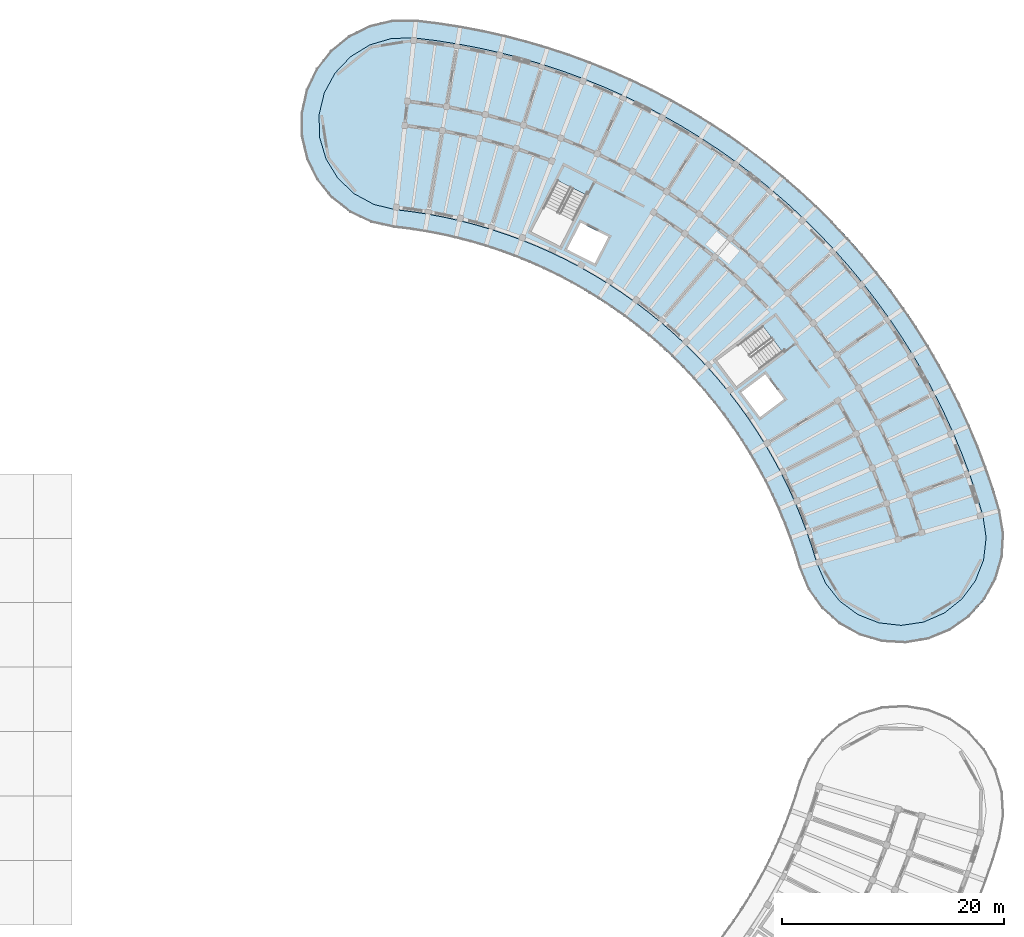
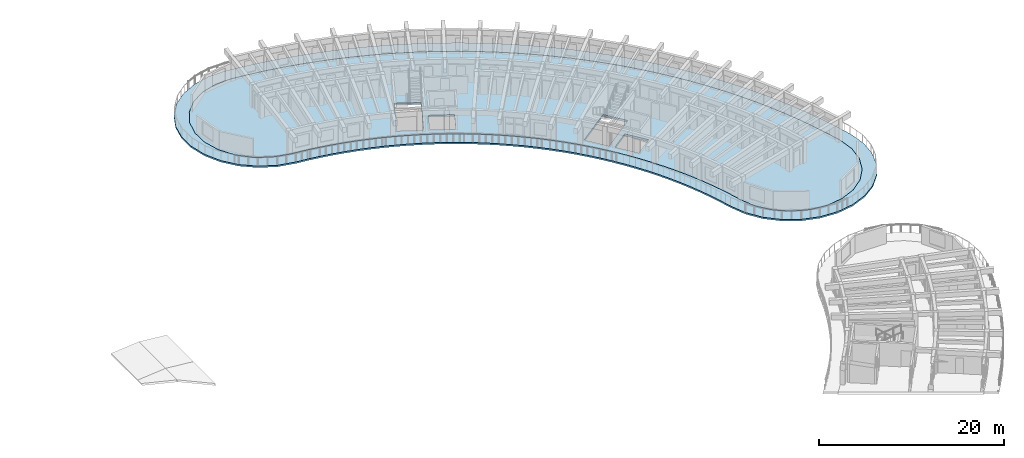
# One storey, part 25 of 69: 2 slabs.
"""IFC4 building model written with IfcOpenShell, lengths in metres."""

from ifc_helpers import new_model, si_unit, direction, frame, origin, place, context, subcontext, project, spatial, polyline, outline, extrude, material, layer, layer_set, type_object, element, save


model = new_model("IFC4")

# Units and contexts
model_context = context("Model", 3, precision=1e-05, world=origin(), true_north=direction((0.0, 1.0)))
body_context = subcontext(model_context, "Body", "Model", "MODEL_VIEW")
ifc_project = project(units=[si_unit("LENGTHUNIT", "METRE"), si_unit("AREAUNIT", "SQUARE_METRE"), si_unit("VOLUMEUNIT", "CUBIC_METRE"), si_unit("PLANEANGLEUNIT", "RADIAN"), si_unit("MASSUNIT", "GRAM", prefix="KILO")], contexts=[model_context])

# Site, building, storey
site_placement = place(None, origin())
site = spatial("IfcSite", under=ifc_project, at=site_placement, CompositionType="ELEMENT")
building_placement = place(site_placement, origin())
building = spatial("IfcBuilding", under=site, at=building_placement, Name="Tanwirah Colonnade Gardens", CompositionType="ELEMENT")
storey_placement = place(building_placement, frame((0.0, 0.0, 15.56005859375)))
storey = spatial("IfcBuildingStorey", under=building, at=storey_placement, Name="L04", CompositionType="ELEMENT", Elevation=15.56005859375)

# Slabs
ifc_material_1 = material(Name="White architectural precast concrete C40/50", Category="concrete")
ifc_layer_1 = layer(ifc_material_1, 0.199951171875)
ifc_layer_set_1 = layer_set([ifc_layer_1], Name="White architectural precast concrete C40/50")
slab_type_1 = type_object("IfcSlabType", Name="SL-BAL-200", PredefinedType="FLOOR", material=ifc_layer_set_1)
slab_1_placement = place(storey_placement, frame((0.0, 0.0, -0.199951171875)))
element("IfcSlab", 1, at=slab_1_placement, inside=storey, type_object=slab_type_1, Name="Block B L04 Continuous White Balcony Ribbon", PredefinedType="FLOOR", context=body_context, shape_type="SweptSolid", body=[
    extrude(outline(polyline([(162.7529296875, 69.996337890625), (163.96875, 68.2783203125), (165.53662109375, 66.873779296875), (167.37744140625, 65.853271484375), (169.3994140625, 65.267822265625), (171.5009765625, 65.147216796875), (173.57666015625, 65.497314453125), (175.522216796875, 66.30029296875), (177.240478515625, 67.516357421875), (178.64501953125, 69.083984375), (179.66552734375, 70.925048828125), (180.250732421875, 72.947021484375), (180.37158203125, 75.048583984375), (180.021484375, 77.1240234375), (179.431640625, 79.060302734375), (178.778076171875, 80.97607421875), (178.06201171875, 82.869140625), (177.28369140625, 84.73779296875), (176.4443359375, 86.57958984375), (175.544677734375, 88.392822265625), (174.585693359375, 90.17529296875), (173.568603515625, 91.92529296875), (172.494384765625, 93.640869140625), (171.3642578125, 95.320068359375), (170.17919921875, 96.9609375), (168.940673828125, 98.56201171875), (167.650146484375, 100.121337890625), (166.30908203125, 101.63720703125), (164.91845703125, 103.108154296875), (163.48046875, 104.532470703125), (161.99609375, 105.90869140625), (160.467041015625, 107.235107421875), (158.895263671875, 108.510498046875), (157.282470703125, 109.7333984375), (155.6298828125, 110.90234375), (153.93994140625, 112.01611328125), (152.214111328125, 113.07373046875), (150.454345703125, 114.073974609375), (148.66259765625, 115.015380859375), (146.8408203125, 115.8974609375), (144.990966796875, 116.718994140625), (143.114990234375, 117.47900390625), (141.21484375, 118.1767578125), (139.29296875, 118.811767578125), (137.35107421875, 119.3828125), (135.391357421875, 119.8896484375), (133.416259765625, 120.33154296875), (131.427490234375, 120.7080078125), (129.42724609375, 121.018798828125), (127.41796875, 121.263671875), (125.313232421875, 121.247802734375), (123.2646484375, 120.76416015625), (121.375, 119.836669921875), (119.7392578125, 118.511962890625), (118.439208984375, 116.8564453125), (117.5400390625, 114.953369140625), (117.0869140625, 112.897705078125), (117.102783203125, 110.792724609375), (117.58642578125, 108.744140625), (118.513916015625, 106.854736328125), (119.838623046875, 105.21875), (121.494140625, 103.918701171875), (123.397216796875, 103.019775390625), (125.452880859375, 102.566650390625), (126.846923828125, 102.396728515625), (128.234619140625, 102.18115234375), (129.614501953125, 101.919921875), (130.98486328125, 101.61328125), (132.344482421875, 101.26171875), (133.69189453125, 100.865478515625), (135.025390625, 100.425048828125), (136.343505859375, 99.94091796875), (137.645263671875, 99.41357421875), (138.9287109375, 98.843505859375), (140.192626953125, 98.231689453125), (141.435791015625, 97.578369140625), (142.65673828125, 96.884521484375), (143.85400390625, 96.150634765625), (145.026611328125, 95.3779296875), (146.173095703125, 94.566650390625), (147.292236328125, 93.71826171875), (148.3828125, 92.83349609375), (149.443603515625, 91.9130859375), (150.473388671875, 90.95849609375), (151.47119140625, 89.97021484375), (152.435791015625, 88.94970703125), (153.366455078125, 87.89794921875), (154.26171875, 86.81591796875), (155.12109375, 85.705078125), (155.943115234375, 84.566650390625), (156.727294921875, 83.401611328125), (157.47265625, 82.21142578125), (158.178466796875, 80.997314453125), (158.84375, 79.760498046875), (159.468017578125, 78.50244140625), (160.05029296875, 77.224609375), (160.590087890625, 75.92822265625), (161.087158203125, 74.61474609375), (161.54052734375, 73.28564453125), (161.94970703125, 71.942138671875), (162.7529296875, 69.996337890625)]), holes=[polyline([(164.31689453125, 70.526123046875), (163.506591796875, 72.39013671875), (163.082275390625, 73.78271484375), (163.08203125, 73.783447265625), (162.611572265625, 75.16259765625), (162.611328125, 75.1630859375), (162.095947265625, 76.52587890625), (162.095703125, 76.526611328125), (161.535400390625, 77.87158203125), (161.53515625, 77.872314453125), (160.930908203125, 79.1982421875), (160.9306640625, 79.19873046875), (160.282958984375, 80.504150390625), (160.28271484375, 80.504638671875), (159.59228515625, 81.787841796875), (159.592041015625, 81.788330078125), (158.85986328125, 83.048095703125), (158.859619140625, 83.048828125), (158.086181640625, 84.28369140625), (158.0859375, 84.2841796875), (157.272216796875, 85.492919921875), (157.271728515625, 85.493408203125), (156.418701171875, 86.6748046875), (156.41845703125, 86.67529296875), (155.52685546875, 87.827880859375), (155.526611328125, 87.828369140625), (154.597412109375, 88.950927734375), (154.59716796875, 88.951416015625), (153.631591796875, 90.042724609375), (153.631103515625, 90.043212890625), (152.630126953125, 91.10205078125), (152.629638671875, 91.1025390625), (151.594482421875, 92.1279296875), (151.593994140625, 92.12841796875), (150.525390625, 93.118896484375), (150.52490234375, 93.119384765625), (149.42431640625, 94.07421875), (149.423828125, 94.07470703125), (148.292236328125, 94.99267578125), (148.291748046875, 94.9931640625), (147.130615234375, 95.87353515625), (147.130126953125, 95.873779296875), (145.940673828125, 96.71533203125), (145.940185546875, 96.7158203125), (144.723388671875, 97.517578125), (144.722900390625, 97.51806640625), (143.48046875, 98.279296875), (143.47998046875, 98.279541015625), (142.213134765625, 98.99951171875), (142.212646484375, 99.0), (140.9228515625, 99.677734375), (140.922119140625, 99.677978515625), (139.61083984375, 100.31298828125), (139.610107421875, 100.313232421875), (138.2783203125, 100.904541015625), (138.27783203125, 100.90478515625), (136.92724609375, 101.451904296875), (136.9267578125, 101.4521484375), (135.55908203125, 101.95458984375), (135.558349609375, 101.954833984375), (134.1748046875, 102.411865234375), (134.174072265625, 102.411865234375), (132.7763671875, 102.822998046875), (132.775634765625, 102.8232421875), (131.364990234375, 103.18798828125), (131.3642578125, 103.188232421875), (129.9423828125, 103.50634765625), (129.941650390625, 103.506591796875), (128.510009765625, 103.777587890625), (128.509521484375, 103.777587890625), (127.069580078125, 104.00146484375), (127.069091796875, 104.00146484375), (125.623779296875, 104.177490234375), (123.6474609375, 104.652099609375), (121.862548828125, 105.62109375), (120.389404296875, 107.01904296875), (119.328369140625, 108.750732421875), (118.75146484375, 110.697998046875), (118.6982421875, 112.728271484375), (119.17236328125, 114.703125), (120.141357421875, 116.488037109375), (121.53955078125, 117.961181640625), (123.271240234375, 119.0224609375), (125.218505859375, 119.59912109375), (127.249755859375, 119.65234375), (129.204833984375, 119.414306640625), (131.15234375, 119.111572265625), (133.088623046875, 118.744873046875), (135.01171875, 118.314697265625), (136.919677734375, 117.8212890625), (138.810302734375, 117.26513671875), (140.681640625, 116.647216796875), (142.531494140625, 115.9677734375), (144.35791015625, 115.227783203125), (146.158935546875, 114.427978515625), (147.932861328125, 113.5693359375), (149.67724609375, 112.652587890625), (151.390625, 111.6787109375), (153.07080078125, 110.649169921875), (154.71630859375, 109.564453125), (156.3251953125, 108.42626953125), (157.8955078125, 107.23583984375), (159.42578125, 105.994140625), (160.914306640625, 104.70263671875), (162.359619140625, 103.36279296875), (163.759765625, 101.97607421875), (165.113525390625, 100.5439453125), (166.41943359375, 99.068115234375), (167.67578125, 97.5498046875), (168.881591796875, 95.990966796875), (170.035400390625, 94.393310546875), (171.1357421875, 92.758544921875), (172.181640625, 91.08837890625), (173.171875, 89.384521484375), (174.10546875, 87.64892578125), (174.9814453125, 85.883544921875), (175.798828125, 84.09033203125), (176.556396484375, 82.271240234375), (177.253662109375, 80.427978515625), (177.889892578125, 78.562744140625), (178.4638671875, 76.6787109375), (178.76416015625, 74.6689453125), (178.534423828125, 72.651123046875), (177.7900390625, 70.761474609375), (176.58203125, 69.12890625), (174.992431640625, 67.864501953125), (173.130126953125, 67.0546875), (171.121337890625, 66.75439453125), (169.103515625, 66.984375), (167.2138671875, 67.728759765625), (165.581298828125, 68.936767578125), (164.31689453125, 70.526123046875)])]), origin(), (0.0, 0.0, 1.0), 0.199951171875),
])
ifc_material_2 = material(Name="Precast concrete C40/50", Category="concrete")
ifc_layer_2 = layer(ifc_material_2, 0.2548828125)
ifc_layer_set_2 = layer_set([ifc_layer_2], Name="Precast concrete C40/50")
slab_type_2 = type_object("IfcSlabType", Name="SL-RES-255", PredefinedType="FLOOR", material=ifc_layer_set_2)
slab_2_placement = place(storey_placement, frame((0.0, 0.0, -0.255126953125)))
element("IfcSlab", 2, at=slab_2_placement, inside=storey, type_object=slab_type_2, Name="Block B L04 Precast Composite Floor Slab", PredefinedType="FLOOR", context=body_context, shape_type="SweptSolid", body=[
    extrude(outline(polyline([(162.5927734375, 75.156005859375), (163.06298828125, 73.777099609375), (163.48779296875, 72.383056640625), (164.2998046875, 70.515869140625), (165.5673828125, 68.92236328125), (167.2041015625, 67.711181640625), (169.0986328125, 66.96484375), (171.121826171875, 66.734375), (173.135498046875, 67.035400390625), (175.0029296875, 67.84716796875), (176.596435546875, 69.11474609375), (177.8076171875, 70.751708984375), (178.553955078125, 72.646240234375), (178.784423828125, 74.669189453125), (178.4833984375, 76.68310546875), (177.908935546875, 78.56884765625), (177.2724609375, 80.434814453125), (176.574951171875, 82.278564453125), (175.817138671875, 84.098388671875), (174.99951171875, 85.892333984375), (174.123291015625, 87.658203125), (173.189453125, 89.394287109375), (172.19873046875, 91.0986328125), (171.152587890625, 92.76953125), (170.0517578125, 94.40478515625), (168.897705078125, 96.0029296875), (167.69140625, 97.562255859375), (166.4345703125, 99.0810546875), (165.12841796875, 100.5576171875), (163.774169921875, 101.990234375), (162.37353515625, 103.377197265625), (160.927734375, 104.717529296875), (159.438720703125, 106.009521484375), (157.907958984375, 107.25146484375), (156.3369140625, 108.442626953125), (154.7275390625, 109.5810546875), (153.08154296875, 110.666015625), (151.400634765625, 111.696044921875), (149.686767578125, 112.669921875), (147.94189453125, 113.587158203125), (146.16748046875, 114.446044921875), (144.36572265625, 115.24609375), (142.53857421875, 115.986328125), (140.688232421875, 116.666015625), (138.816162109375, 117.284423828125), (136.925048828125, 117.840576171875), (135.016357421875, 118.334228515625), (133.092529296875, 118.7646484375), (131.15576171875, 119.13134765625), (129.207763671875, 119.43408203125), (127.250732421875, 119.67236328125), (125.21533203125, 119.619140625), (123.262939453125, 119.040771484375), (121.52685546875, 117.976806640625), (120.125244140625, 116.499755859375), (119.153564453125, 114.71044921875), (118.67822265625, 112.73046875), (118.7314453125, 110.695068359375), (119.309814453125, 108.74267578125), (120.373779296875, 107.00634765625), (121.850830078125, 105.604736328125), (123.64013671875, 104.63330078125), (125.6201171875, 104.157958984375), (127.066650390625, 103.981689453125), (128.50634765625, 103.758056640625), (129.93798828125, 103.48681640625), (131.35986328125, 103.168701171875), (132.770751953125, 102.803955078125), (134.16845703125, 102.392822265625), (135.552001953125, 101.935791015625), (136.919921875, 101.433349609375), (138.270263671875, 100.88623046875), (139.60205078125, 100.294921875), (140.91357421875, 99.659912109375), (142.203369140625, 98.982177734375), (143.47021484375, 98.26220703125), (144.71240234375, 97.5009765625), (145.92919921875, 96.698974609375), (147.11865234375, 95.857421875), (148.27978515625, 94.977294921875), (149.4111328125, 94.05908203125), (150.51171875, 93.104248046875), (151.580322265625, 92.11376953125), (152.61572265625, 91.08837890625), (153.61669921875, 90.029541015625), (154.58203125, 88.938232421875), (155.510986328125, 87.815673828125), (156.402587890625, 86.6630859375), (157.255615234375, 85.48193359375), (158.0693359375, 84.27294921875), (158.842529296875, 83.0380859375), (159.57470703125, 81.7783203125), (160.26513671875, 80.4951171875), (160.91259765625, 79.18994140625), (161.516845703125, 77.864013671875), (162.0771484375, 76.518798828125), (162.5927734375, 75.156005859375)]), holes=[polyline([(160.4169921875, 91.38427734375), (156.2666015625, 88.256591796875), (154.512939453125, 90.583740234375), (158.663330078125, 93.71142578125), (160.4169921875, 91.38427734375)]), polyline([(158.402587890625, 85.5048828125), (156.717529296875, 87.7412109375), (158.873779296875, 89.365966796875), (160.558837890625, 87.1298828125), (158.402587890625, 85.5048828125)]), polyline([(137.8017578125, 102.199951171875), (140.1611328125, 106.830322265625), (142.757568359375, 105.507568359375), (140.398193359375, 100.876953125), (137.8017578125, 102.199951171875)]), polyline([(142.255126953125, 103.01708984375), (144.75, 101.745849609375), (143.524169921875, 99.34033203125), (141.029541015625, 100.611328125), (142.255126953125, 103.01708984375)])]), origin(), (0.0, 0.0, 1.0), 0.255126953125),
])

save(model, "model.ifc")
